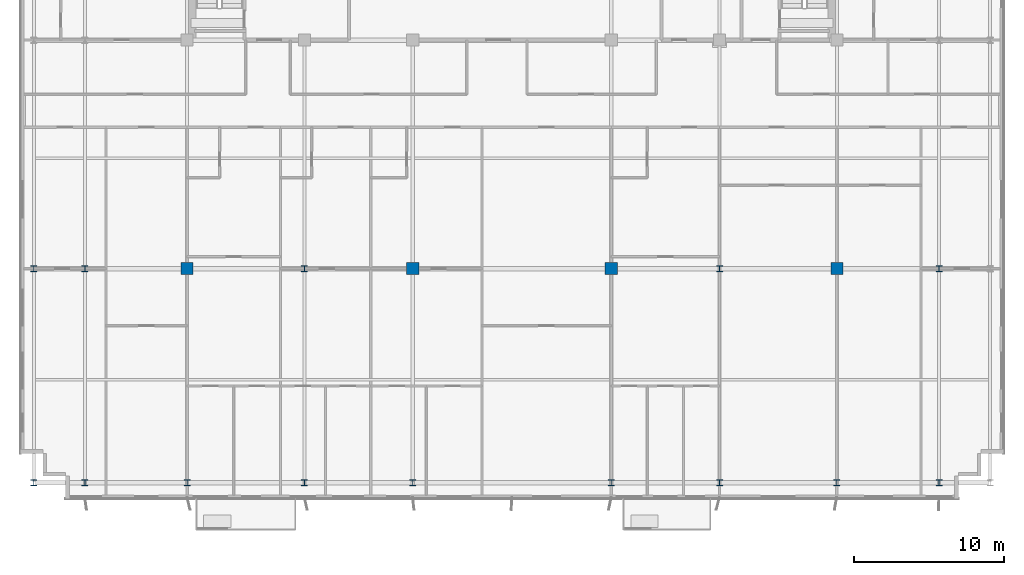
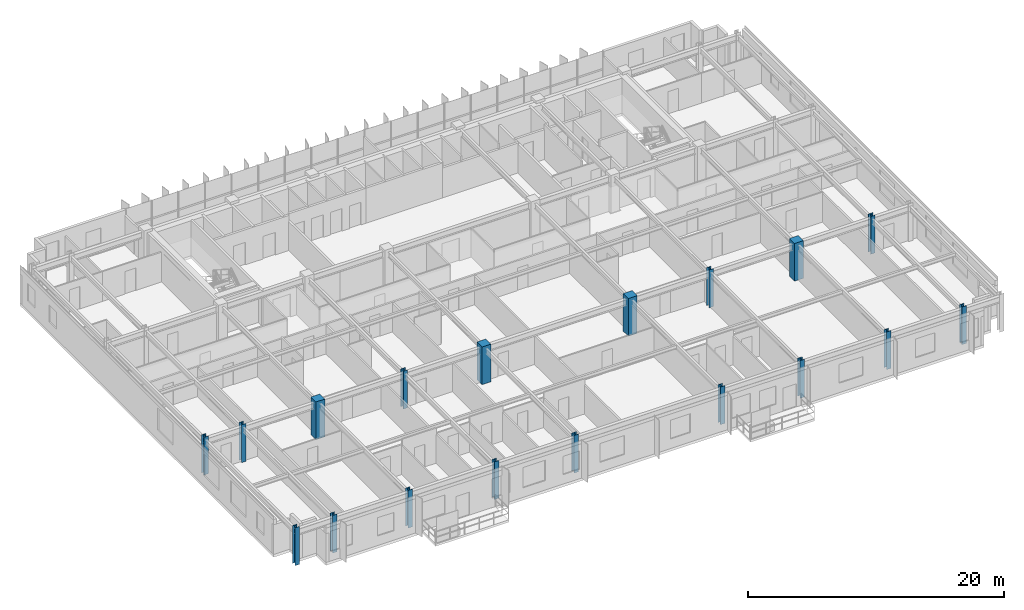
# One storey, part 1 of 22: 18 columns.
"""IFC4 building model written with IfcOpenShell, lengths in metres."""

import ifcopenshell
import ifcopenshell.guid

model = None  # the IFC model being written
_history = None  # IfcOwnerHistory: only IFC2X3 demands one
_inside = {}  # id of a spatial element -> (the spatial element, [elements in it])
_under = {}  # id of a project, library or spatial element -> (it, [spatial elements below it])
_declared = {}  # id of a project -> (the project, [libraries it declares])
_typed = {}  # id of a type object -> (the type object, [elements of that type])
_made_of = {}  # id of a material, layer set ... -> (it, [elements and type objects made of it])


def new_model(schema):
    """Start an empty IFC model of exactly this schema.

    Asked for "IFC4X3", IfcOpenShell would pick the latest addendum, in which some entities
    have other attributes; the version numbers below select the first issue.
    IFC2X3 requires an IfcOwnerHistory on every rooted entity: one is made here for all.
    """
    global model, _history
    if schema == "IFC4X3":
        model = ifcopenshell.file(schema_version=(4, 3, 0, 0))
    else:
        model = ifcopenshell.file(schema=schema)
    _inside.clear()
    _under.clear()
    _declared.clear()
    _typed.clear()
    _made_of.clear()
    _history = None
    if model.schema == "IFC2X3":
        org = make("IfcOrganization", Name="unknown")
        user = make(
            "IfcPersonAndOrganization",
            ThePerson=make("IfcPerson", FamilyName="unknown"),
            TheOrganization=org,
        )
        app = make(
            "IfcApplication",
            ApplicationDeveloper=org,
            Version="unknown",
            ApplicationFullName="unknown",
            ApplicationIdentifier="unknown",
        )
        _history = make(
            "IfcOwnerHistory",
            OwningUser=user,
            OwningApplication=app,
            ChangeAction="ADDED",
            CreationDate=0,
        )
    return model


def make(cls, **values):
    """One entity of the class cls with the attributes given. An attribute that is None is left unset."""
    return model.create_entity(
        cls, **{name: value for name, value in values.items() if value is not None}
    )


def rooted(cls, **values):
    """An entity with a GlobalId (a new one), such as an element, a storey or a relation."""
    return make(cls, GlobalId=ifcopenshell.guid.new(), OwnerHistory=_history, **values)


def si_unit(unit_type, name, prefix=None):
    """IfcSIUnit, for example si_unit("LENGTHUNIT", "METRE", prefix="MILLI")."""
    return make("IfcSIUnit", UnitType=unit_type, Prefix=prefix, Name=name)


def assignment(units):
    """IfcUnitAssignment: the units of a project."""
    return None if units is None else make("IfcUnitAssignment", Units=units)


def point(xyz):
    """IfcCartesianPoint."""
    return None if xyz is None else make("IfcCartesianPoint", Coordinates=xyz)


def direction(xyz):
    """IfcDirection."""
    return None if xyz is None else make("IfcDirection", DirectionRatios=xyz)


def frame(location, z_axis=None, x_axis=None):
    """IfcAxis2Placement3D, a coordinate frame: its origin and axes. An axis left out is left unset."""
    return make(
        "IfcAxis2Placement3D",
        Location=point(location),
        Axis=direction(z_axis),
        RefDirection=direction(x_axis),
    )


def frame_2d(location, x_axis=None):
    """IfcAxis2Placement2D, a coordinate frame in the plane: its origin and x axis."""
    return make(
        "IfcAxis2Placement2D", Location=point(location), RefDirection=direction(x_axis)
    )


def origin():
    """The frame at (0, 0, 0) with its axes left unset."""
    return frame((0.0, 0.0, 0.0))


def origin_2d():
    """The frame at (0, 0) in the plane with its x axis left unset."""
    return frame_2d((0.0, 0.0))


def place(relative_to, where):
    """IfcLocalPlacement: puts the frame where relative to a parent placement (None: the world)."""
    return make(
        "IfcLocalPlacement", PlacementRelTo=relative_to, RelativePlacement=where
    )


def context(
    kind, dimensions, precision=None, world=None, true_north=None, identifier=None
):
    """IfcGeometricRepresentationContext, for example the 3D "Model" context."""
    return make(
        "IfcGeometricRepresentationContext",
        ContextIdentifier=identifier,
        ContextType=kind,
        CoordinateSpaceDimension=dimensions,
        Precision=precision,
        WorldCoordinateSystem=world,
        TrueNorth=true_north,
    )


def subcontext(parent, identifier, kind, view, scale=None):
    """IfcGeometricRepresentationSubContext, for example "Body" below "Model"."""
    return make(
        "IfcGeometricRepresentationSubContext",
        ContextIdentifier=identifier,
        ContextType=kind,
        ParentContext=parent,
        TargetScale=scale,
        TargetView=view,
    )


def project(units=None, contexts=None):
    """IfcProject with its units and contexts."""
    return rooted(
        "IfcProject",
        Name="project",
        RepresentationContexts=contexts,
        UnitsInContext=assignment(units),
    )


def spatial(cls, under=None, at=None, **own):
    """A site, building, storey or space (cls), placed at a placement, below another one or the project."""
    s = rooted(cls, ObjectPlacement=at, **own)
    if under is not None:
        _under.setdefault(under.id(), (under, []))[1].append(s)
    return s


def profile(cls, at=None, kind="AREA", **sizes):
    """A parametric profile (cls). Its sizes go by their IFC names, for example OverallWidth=200.0."""
    return make(cls, ProfileType=kind, Position=at, **sizes)


def rectangle(**sizes):
    """IfcRectangleProfileDef."""
    return profile("IfcRectangleProfileDef", **sizes)


def i_section(**sizes):
    """IfcIShapeProfileDef."""
    return profile("IfcIShapeProfileDef", **sizes)


def extrude(swept, where, along, depth):
    """IfcExtrudedAreaSolid: the profile swept, set in the frame where, extruded along a direction by depth."""
    return make(
        "IfcExtrudedAreaSolid",
        SweptArea=swept,
        Position=where,
        ExtrudedDirection=direction(along),
        Depth=depth,
    )


def shape(context_of_items, identifier, shape_type, items):
    """IfcShapeRepresentation: the items that make up one representation, for example the "Body"."""
    return make(
        "IfcShapeRepresentation",
        ContextOfItems=context_of_items,
        RepresentationIdentifier=identifier,
        RepresentationType=shape_type,
        Items=items,
    )


def source(mapping_origin, context_of_items, identifier, shape_type, items):
    """IfcRepresentationMap: a shape defined once, which mapped items show again and again."""
    return make(
        "IfcRepresentationMap",
        MappingOrigin=mapping_origin,
        MappedRepresentation=shape(context_of_items, identifier, shape_type, items),
    )


def transform(
    local_origin,
    x_axis=None,
    y_axis=None,
    z_axis=None,
    scale=None,
    scale2=None,
    scale3=None,
    uniform=True,
):
    """IfcCartesianTransformationOperator3D, or its non-uniform kind. x_axis, y_axis, z_axis: its Axis1, 2, 3."""
    if uniform:
        return make(
            "IfcCartesianTransformationOperator3D",
            Axis1=direction(x_axis),
            Axis2=direction(y_axis),
            LocalOrigin=point(local_origin),
            Scale=scale,
            Axis3=direction(z_axis),
        )
    return make(
        "IfcCartesianTransformationOperator3DnonUniform",
        Axis1=direction(x_axis),
        Axis2=direction(y_axis),
        LocalOrigin=point(local_origin),
        Scale=scale,
        Axis3=direction(z_axis),
        Scale2=scale2,
        Scale3=scale3,
    )


def mapped(mapping_source, mapping_target):
    """IfcMappedItem: shows the shape of a source again, moved by a transform."""
    return make(
        "IfcMappedItem", MappingSource=mapping_source, MappingTarget=mapping_target
    )


def material(Name=None, Category=None):
    """IfcMaterial."""
    return make("IfcMaterial", Name=Name, Category=Category)


def material_profile(
    of_material, cross_section, Name=None, Category=None, Priority=None
):
    """IfcMaterialProfile: a cross section and its material."""
    return make(
        "IfcMaterialProfile",
        Name=Name,
        Material=of_material,
        Profile=cross_section,
        Priority=Priority,
        Category=Category,
    )


def profile_set(profiles, Name=None, composite=None):
    """IfcMaterialProfileSet."""
    return make(
        "IfcMaterialProfileSet",
        Name=Name,
        MaterialProfiles=profiles,
        CompositeProfile=composite,
    )


def made_of(thing, what):
    """Note that an element or type object is made of a material, layer set ...; save() writes the relation."""
    if what is not None:
        _made_of.setdefault(what.id(), (what, []))[1].append(thing)
    return thing


def type_object(cls, material=None, **own):
    """A type object (cls), such as IfcWallType, which elements share."""
    return made_of(rooted(cls, **own), material)


def element(
    cls,
    number,
    at=None,
    inside=None,
    cuts=None,
    type_object=None,
    material=None,
    context=None,
    identifier="Body",
    shape_type=None,
    held_by="IfcProductDefinitionShape",
    body=None,
    shapes=None,
    **own,
):
    """One element of the class cls, such as IfcWall. Its Tag is "e" and its number.

    at: its placement. inside: the storey or other place that contains it. cuts: it is an
    opening in that element (IfcRelVoidsElement). A single representation is given by context,
    identifier, shape_type and body (its items); several are given by shapes. held_by: the class
    of the entity that holds the representations. save() writes the other relations.
    """
    e = rooted(cls, Tag="e%d" % number, ObjectPlacement=at, **own)
    if body is not None:
        shapes = [shape(context, identifier, shape_type, body)]
    if shapes is not None:
        e.Representation = make(held_by, Representations=shapes)
    if inside is not None:
        _inside.setdefault(inside.id(), (inside, []))[1].append(e)
    if cuts is not None:
        rooted(
            "IfcRelVoidsElement", RelatingBuildingElement=cuts, RelatedOpeningElement=e
        )
    if type_object is not None:
        _typed.setdefault(type_object.id(), (type_object, []))[1].append(e)
    return made_of(e, material)


def aggregate(whole, parts):
    """IfcRelAggregates: a whole, such as a stair, and the parts it consists of."""
    return rooted("IfcRelAggregates", RelatingObject=whole, RelatedObjects=parts)


def save(model, path):
    """Write the relations noted so far, then the file.

    IfcRelAggregates (storeys below a building ...), IfcRelContainedInSpatialStructure (elements
    in a storey), IfcRelDefinesByType, IfcRelAssociatesMaterial and IfcRelDeclares: one each for
    every whole, place, type object, material and project.
    """
    for whole, parts in _under.values():
        aggregate(whole, parts)
    for where, things in _inside.values():
        rooted(
            "IfcRelContainedInSpatialStructure",
            RelatedElements=things,
            RelatingStructure=where,
        )
    for kind, things in _typed.values():
        rooted("IfcRelDefinesByType", RelatedObjects=things, RelatingType=kind)
    for what, things in _made_of.values():
        rooted("IfcRelAssociatesMaterial", RelatedObjects=things, RelatingMaterial=what)
    for by, libraries in _declared.values():
        rooted("IfcRelDeclares", RelatingContext=by, RelatedDefinitions=libraries)
    model.write(path)


model = new_model("IFC4")

# Units and contexts
model_context = context("Model", 3, precision=1e-05, world=origin(), true_north=direction((0.0, 1.0)))
body_context = subcontext(model_context, "Body", "Model", "MODEL_VIEW")
ifc_project = project(units=[si_unit("LENGTHUNIT", "METRE"), si_unit("AREAUNIT", "SQUARE_METRE"), si_unit("VOLUMEUNIT", "CUBIC_METRE"), si_unit("PLANEANGLEUNIT", "RADIAN"), si_unit("MASSUNIT", "GRAM", prefix="KILO")], contexts=[model_context])

# Site, building, storey
site_placement = place(None, origin())
site = spatial("IfcSite", under=ifc_project, at=site_placement, CompositionType="ELEMENT")
building_placement = place(site_placement, origin())
building = spatial("IfcBuilding", under=site, at=building_placement, Name="Trelvane Seafront Commons", CompositionType="ELEMENT")
storey_placement = place(building_placement, frame((0.0, 0.0, 114.10009765625)))
storey = spatial("IfcBuildingStorey", under=building, at=storey_placement, Name="L29", CompositionType="ELEMENT", Elevation=114.10009765625)

# Columns
ifc_material_1 = material(Name="Steel SM355 (S355)", Category="steel")
ifc_material_profile_1 = material_profile(ifc_material_1, i_section(OverallWidth=0.39990234375, OverallDepth=0.39990234375, WebThickness=0.02197265625, FlangeThickness=0.034912109375, at=origin_2d()), Name="HD-400x400x22x35")
ifc_profile_set_1 = profile_set([ifc_material_profile_1], Name="Steel SM355 (S355)")
column_type_1 = type_object("IfcColumnType", Name="STR-COL-HD400", PredefinedType="COLUMN", material=ifc_profile_set_1)
shared_shape_1 = source(origin(), body_context, "Body", "SweptSolid", [
    extrude(i_section(OverallWidth=0.39990234375, OverallDepth=0.39990234375, WebThickness=0.02197265625, FlangeThickness=0.034912109375, at=origin_2d()), origin(), (0.0, 0.0, 1.0), 3.599853515625),
])
for number, where, z_axis, x_axis, name in (
    (1, (5.39990234375, 3.949951171875, 0.0), (0.0, 0.0, 1.0), (1.0, 0.0, 0.0), "L29 Column TC-S5.4"),
    (2, (5.39990234375, 18.199951171875, 0.0), (0.0, 0.0, 1.0), (1.0, 0.0, 0.0), "L29 Column TC-M5.4"),
    (3, (8.800048828125, 3.949951171875, 0.0), (0.0, 0.0, 1.0), (1.0, 0.0, 0.0), "L29 Column TC-S8.8"),
    (4, (8.800048828125, 18.199951171875, 0.0), (0.0, 0.0, 1.0), (1.0, 0.0, 0.0), "L29 Column TC-M8.8"),
    (5, (15.60009765625, 3.949951171875, 0.0), (0.0, 0.0, 1.0), (1.0, 0.0, 0.0), "L29 Column TC-S15.6"),
    (6, (23.39990234375, 3.949951171875, 0.0), (0.0, 0.0, 1.0), (1.0, 0.0, 0.0), "L29 Column TC-S23.4"),
    (7, (23.39990234375, 18.199951171875, 0.0), (0.0, 0.0, 1.0), (1.0, 0.0, 0.0), "L29 Column TC-M23.4"),
    (8, (30.60009765625, 3.949951171875, 0.0), (0.0, 0.0, 1.0), (1.0, 0.0, 0.0), "L29 Column TC-S30.6"),
    (9, (43.800048828125, 3.949951171875, 0.0), (0.0, 0.0, 1.0), (1.0, 0.0, 0.0), "L29 Column TC-S43.8"),
    (10, (51.0, 3.949951171875, 0.0), (0.0, 0.0, 1.0), (1.0, 0.0, 0.0), "L29 Column TC-S51.0"),
    (11, (51.0, 18.199951171875, 0.0), (0.0, 0.0, 1.0), (1.0, 0.0, 0.0), "L29 Column TC-M51.0"),
    (12, (58.800048828125, 3.949951171875, 0.0), (0.0, 0.0, 1.0), (1.0, 0.0, 0.0), "L29 Column TC-S58.8"),
    (13, (65.60009765625, 3.949951171875, 0.0), (0.0, 0.0, 1.0), (1.0, 0.0, 0.0), "L29 Column TC-S65.6"),
    (14, (65.60009765625, 18.199951171875, 0.0), (0.0, 0.0, 1.0), (1.0, 0.0, 0.0), "L29 Column TC-M65.6"),
):
    element("IfcColumn", number, at=place(storey_placement, frame(where, z_axis=z_axis, x_axis=x_axis)), inside=storey, type_object=column_type_1, Name=name, PredefinedType="COLUMN", context=body_context, shape_type="MappedRepresentation", body=[
        mapped(shared_shape_1, transform((0.0, 0.0, 0.0), x_axis=(1.0, 0.0, 0.0), y_axis=(0.0, 1.0, 0.0), z_axis=(0.0, 0.0, 1.0), scale=1.0)),
    ])
ifc_material_2 = material(Name="Concrete C60/75", Category="concrete")
ifc_material_profile_2 = material_profile(ifc_material_2, rectangle(XDim=0.800048828125, YDim=0.800048828125, at=origin_2d()), Name="RC-800x800")
ifc_profile_set_2 = profile_set([ifc_material_profile_2], Name="Concrete C60/75")
column_type_2 = type_object("IfcColumnType", Name="STR-COL-RC800", PredefinedType="COLUMN", material=ifc_profile_set_2)
shared_shape_2 = source(origin(), body_context, "Body", "SweptSolid", [
    extrude(rectangle(XDim=0.800048828125, YDim=0.800048828125, at=origin_2d()), origin(), (0.0, 0.0, 1.0), 3.599853515625),
])
for number, where, z_axis, x_axis, name in (
    (15, (15.60009765625, 18.199951171875, 0.0), (0.0, 0.0, 1.0), (1.0, 0.0, 0.0), "L29 Column TC-M15.6"),
    (16, (30.60009765625, 18.199951171875, 0.0), (0.0, 0.0, 1.0), (1.0, 0.0, 0.0), "L29 Column TC-M30.6"),
    (17, (43.800048828125, 18.199951171875, 0.0), (0.0, 0.0, 1.0), (1.0, 0.0, 0.0), "L29 Column TC-M43.8"),
    (18, (58.800048828125, 18.199951171875, 0.0), (0.0, 0.0, 1.0), (1.0, 0.0, 0.0), "L29 Column TC-M58.8"),
):
    element("IfcColumn", number, at=place(storey_placement, frame(where, z_axis=z_axis, x_axis=x_axis)), inside=storey, type_object=column_type_2, Name=name, PredefinedType="COLUMN", context=body_context, shape_type="MappedRepresentation", body=[
        mapped(shared_shape_2, transform((0.0, 0.0, 0.0), x_axis=(1.0, 0.0, 0.0), y_axis=(0.0, 1.0, 0.0), z_axis=(0.0, 0.0, 1.0), scale=1.0)),
    ])

save(model, "model.ifc")
